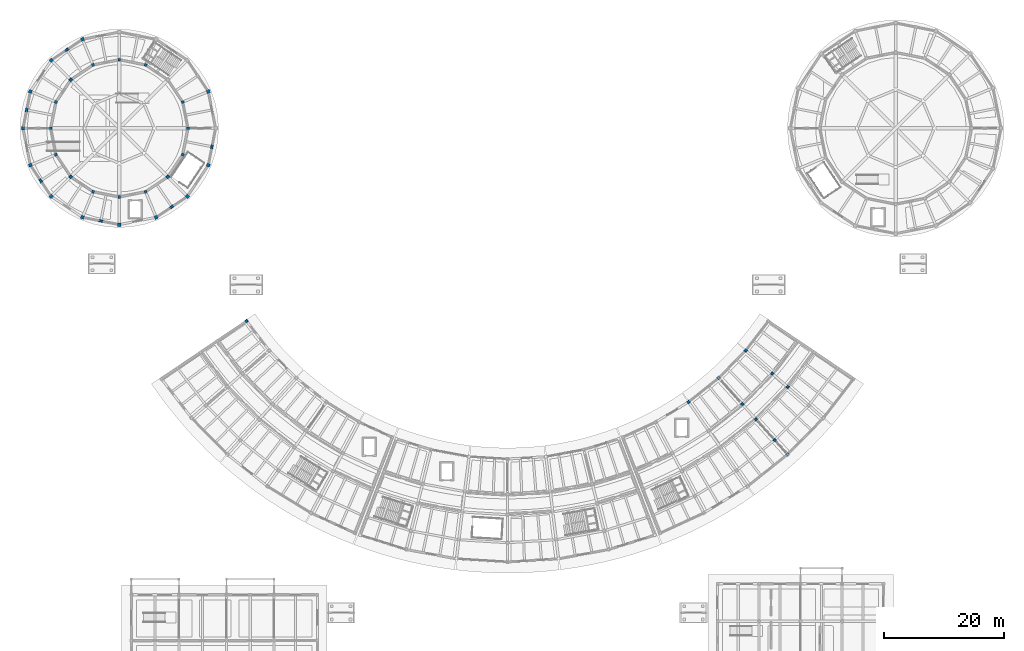
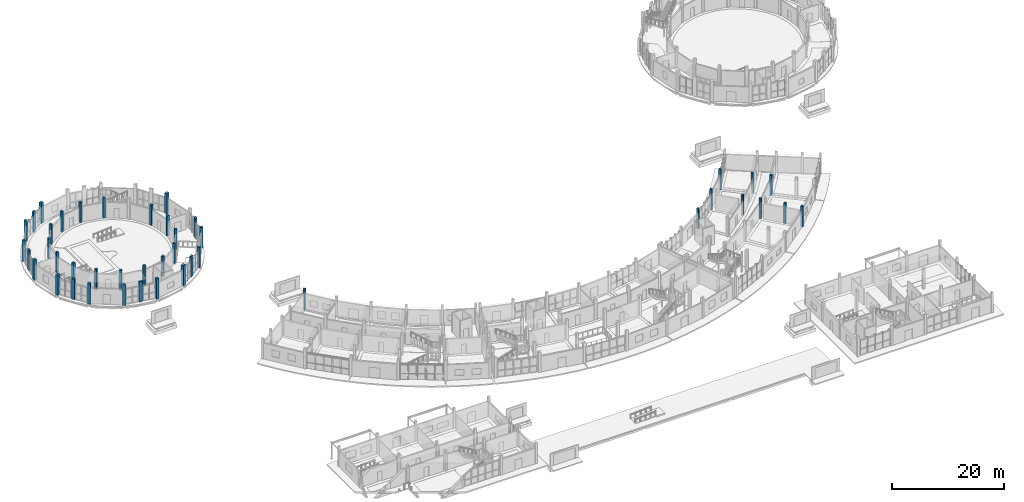
# One storey, part 15 of 92: 43 columns.
"""IFC4 building model written with IfcOpenShell, lengths in metres."""

from ifc_helpers import new_model, si_unit, direction, frame, origin, origin_2d, place, context, subcontext, project, spatial, rectangle, extrude, material, material_profile, profile_set, type_object, element, save


model = new_model("IFC4")

# Units and contexts
model_context = context("Model", 3, precision=1e-05, world=origin(), true_north=direction((0.0, 1.0)))
body_context = subcontext(model_context, "Body", "Model", "MODEL_VIEW")
ifc_project = project(units=[si_unit("LENGTHUNIT", "METRE"), si_unit("AREAUNIT", "SQUARE_METRE"), si_unit("VOLUMEUNIT", "CUBIC_METRE"), si_unit("PLANEANGLEUNIT", "RADIAN"), si_unit("MASSUNIT", "GRAM", prefix="KILO")], contexts=[model_context])

# Site, building, storey
site_placement = place(None, origin())
site = spatial("IfcSite", under=ifc_project, at=site_placement, CompositionType="ELEMENT")
building_placement = place(site_placement, origin())
building = spatial("IfcBuilding", under=site, at=building_placement, Name="Caldaven Crescent School", CompositionType="ELEMENT")
storey_placement = place(building_placement, origin())
storey = spatial("IfcBuildingStorey", under=building, at=storey_placement, Name="L00", CompositionType="ELEMENT", Elevation=0.0)

# Columns
ifc_material_1 = material(Name="Glulam MLE24h (GL28h)", Category="wood")
ifc_material_profile_1 = material_profile(ifc_material_1, rectangle(XDim=0.419921875, YDim=0.419921875, at=origin_2d()), Name="MLE 420x420")
ifc_profile_set_1 = profile_set([ifc_material_profile_1], Name="Glulam MLE24h (GL28h)")
column_type_1 = type_object("IfcColumnType", Name="COL-GL42", PredefinedType="COLUMN", material=ifc_profile_set_1)
for number, where, z_axis, x_axis, name in (
    (1, (44.637451171875, 66.492431640625, 0.0), (0.0, 0.0, 1.0), (-0.826786154745, -0.562516359159, 0.0), "COL-V4W-L00-00-0"),
    (2, (118.083984375, 53.035400390625, 0.0), (0.0, 0.0, 1.0), (0.573576436351, -0.819152044289, 0.0), "COL-V4E-L00-02-0"),
    (3, (123.095947265625, 57.02197265625, 0.0), (0.0, 0.0, 1.0), (0.669130606359, -0.743144825477, 0.0), "COL-V4E-L00-03-0"),
    (4, (127.01025390625, 52.674560546875, 0.0), (0.0, 0.0, 1.0), (0.669130606359, -0.743144825477, 0.0), "COL-V4E-L00-03-1"),
    (5, (129.285400390625, 50.14794921875, 0.0), (0.0, 0.0, 1.0), (0.669130606359, -0.743144825477, 0.0), "COL-V4E-L00-03-2"),
    (6, (132.396728515625, 46.6923828125, 0.0), (0.0, 0.0, 1.0), (0.669130606359, -0.743144825477, 0.0), "COL-V4E-L00-03-3"),
    (7, (134.5380859375, 44.314208984375, 0.0), (0.0, 0.0, 1.0), (0.669130606359, -0.743144825477, 0.0), "COL-V4E-L00-03-4"),
    (8, (127.58447265625, 61.589599609375, 0.0), (0.0, 0.0, 1.0), (0.754709580223, -0.656059028991, 0.0), "COL-V4E-L00-04-0"),
    (9, (131.99951171875, 57.751708984375, 0.0), (0.0, 0.0, 1.0), (0.754709580223, -0.656059028991, 0.0), "COL-V4E-L00-04-1"),
    (10, (134.565673828125, 55.521240234375, 0.0), (0.0, 0.0, 1.0), (0.754709580223, -0.656059028991, 0.0), "COL-V4E-L00-04-2"),
):
    element("IfcColumn", number, at=place(storey_placement, frame(where, z_axis=z_axis, x_axis=x_axis)), inside=storey, type_object=column_type_1, Name=name, PredefinedType="COLUMN", context=body_context, shape_type="SweptSolid", body=[
        extrude(rectangle(XDim=0.419921875, YDim=0.419921875, at=origin_2d()), origin(), (0.0, 0.0, 1.0), 4.419921875),
    ])
ifc_material_profile_2 = material_profile(ifc_material_1, rectangle(XDim=0.449951171875, YDim=0.449951171875, at=origin_2d()), Name="MLE 450x450")
ifc_profile_set_2 = profile_set([ifc_material_profile_2], Name="Glulam MLE24h (GL28h)")
column_type_2 = type_object("IfcColumnType", Name="COL-GL45", PredefinedType="COLUMN", material=ifc_profile_set_2)
for number, where, z_axis, x_axis, name in (
    (11, (34.89990234375, 98.5, 0.0), (0.0, 0.0, 1.0), (1.0, 0.0, 0.0), "COL-V2-L00-GAL-00"),
    (12, (34.0322265625, 102.862548828125, 0.0), (0.0, 0.0, 1.0), (0.923879532511, 0.382683432365, 0.0), "COL-V2-L00-GAL-01"),
    (13, (27.862548828125, 109.0322265625, 0.0), (0.0, 0.0, 1.0), (0.382683432365, 0.923879532511, 0.0), "COL-V2-L00-GAL-03"),
    (14, (23.5, 109.89990234375, 0.0), (0.0, 0.0, 1.0), (0.0, 1.0, 0.0), "COL-V2-L00-GAL-04"),
    (15, (19.137451171875, 109.0322265625, 0.0), (0.0, 0.0, 1.0), (-0.382683432365, 0.923879532511, 0.0), "COL-V2-L00-GAL-05"),
    (16, (15.43896484375, 106.56103515625, 0.0), (0.0, 0.0, 1.0), (-0.707106781187, 0.707106781187, 0.0), "COL-V2-L00-GAL-06"),
    (17, (12.9677734375, 102.862548828125, 0.0), (0.0, 0.0, 1.0), (-0.923879532511, 0.382683432365, 0.0), "COL-V2-L00-GAL-07"),
    (18, (12.10009765625, 98.5, 0.0), (0.0, 0.0, 1.0), (-1.0, 0.0, 0.0), "COL-V2-L00-GAL-08"),
    (19, (12.9677734375, 94.137451171875, 0.0), (0.0, 0.0, 1.0), (-0.923879532511, -0.382683432365, 0.0), "COL-V2-L00-GAL-09"),
    (20, (15.43896484375, 90.43896484375, 0.0), (0.0, 0.0, 1.0), (-0.707106781187, -0.707106781187, 0.0), "COL-V2-L00-GAL-10"),
    (21, (19.137451171875, 87.9677734375, 0.0), (0.0, 0.0, 1.0), (-0.382683432365, -0.923879532511, 0.0), "COL-V2-L00-GAL-11"),
    (22, (23.5, 87.10009765625, 0.0), (0.0, 0.0, 1.0), (0.0, -1.0, 0.0), "COL-V2-L00-GAL-12"),
    (23, (27.862548828125, 87.9677734375, 0.0), (0.0, 0.0, 1.0), (0.382683432365, -0.923879532511, 0.0), "COL-V2-L00-GAL-13"),
    (24, (31.56103515625, 90.43896484375, 0.0), (0.0, 0.0, 1.0), (0.707106781187, -0.707106781187, 0.0), "COL-V2-L00-GAL-14"),
    (25, (34.0322265625, 94.137451171875, 0.0), (0.0, 0.0, 1.0), (0.923879532511, -0.382683432365, 0.0), "COL-V2-L00-GAL-15"),
):
    element("IfcColumn", number, at=place(storey_placement, frame(where, z_axis=z_axis, x_axis=x_axis)), inside=storey, type_object=column_type_2, Name=name, PredefinedType="COLUMN", context=body_context, shape_type="SweptSolid", body=[
        extrude(rectangle(XDim=0.449951171875, YDim=0.449951171875, at=origin_2d()), origin(), (0.0, 0.0, 1.0), 4.419921875),
    ])
ifc_material_2 = material(Name="Concrete C35/45", Category="concrete")
ifc_material_profile_3 = material_profile(ifc_material_2, rectangle(XDim=0.550048828125, YDim=0.550048828125, at=origin_2d()), Name="RC 550x550")
ifc_profile_set_3 = profile_set([ifc_material_profile_3], Name="Concrete C35/45")
column_type_3 = type_object("IfcColumnType", Name="COL-RC55", PredefinedType="COLUMN", material=ifc_profile_set_3)
for number, where, z_axis, x_axis, name in (
    (26, (38.281982421875, 104.623046875, 0.0), (0.0, 0.0, 1.0), (0.923879532511, 0.382683432365, 0.0), "COL-V2-L00-OUT-01"),
    (27, (17.376953125, 113.281982421875, 0.0), (0.0, 0.0, 1.0), (-0.382683432365, 0.923879532511, 0.0), "COL-V2-L00-OUT-05"),
    (28, (12.186279296875, 109.813720703125, 0.0), (0.0, 0.0, 1.0), (-0.707106781187, 0.707106781187, 0.0), "COL-V2-L00-OUT-06"),
    (29, (8.718017578125, 104.623046875, 0.0), (0.0, 0.0, 1.0), (-0.923879532511, 0.382683432365, 0.0), "COL-V2-L00-OUT-07"),
    (30, (7.5, 98.5, 0.0), (0.0, 0.0, 1.0), (-1.0, 0.0, 0.0), "COL-V2-L00-OUT-08"),
    (31, (8.718017578125, 92.376953125, 0.0), (0.0, 0.0, 1.0), (-0.923879532511, -0.382683432365, 0.0), "COL-V2-L00-OUT-09"),
    (32, (12.186279296875, 87.186279296875, 0.0), (0.0, 0.0, 1.0), (-0.707106781187, -0.707106781187, 0.0), "COL-V2-L00-OUT-10"),
    (33, (17.376953125, 83.718017578125, 0.0), (0.0, 0.0, 1.0), (-0.382683432365, -0.923879532511, 0.0), "COL-V2-L00-OUT-11"),
    (34, (23.5, 82.5, 0.0), (0.0, 0.0, 1.0), (0.0, -1.0, 0.0), "COL-V2-L00-OUT-12"),
    (35, (29.623046875, 83.718017578125, 0.0), (0.0, 0.0, 1.0), (0.382683432365, -0.923879532511, 0.0), "COL-V2-L00-OUT-13"),
    (36, (34.813720703125, 87.186279296875, 0.0), (0.0, 0.0, 1.0), (0.707106781187, -0.707106781187, 0.0), "COL-V2-L00-OUT-14"),
    (37, (38.281982421875, 92.376953125, 0.0), (0.0, 0.0, 1.0), (0.923879532511, -0.382683432365, 0.0), "COL-V2-L00-OUT-15"),
):
    element("IfcColumn", number, at=place(storey_placement, frame(where, z_axis=z_axis, x_axis=x_axis)), inside=storey, type_object=column_type_3, Name=name, PredefinedType="COLUMN", context=body_context, shape_type="SweptSolid", body=[
        extrude(rectangle(XDim=0.550048828125, YDim=0.550048828125, at=origin_2d()), origin(), (0.0, 0.0, 1.0), 4.419921875),
    ])
ifc_material_3 = material(Name="Concrete C30/37", Category="concrete")
ifc_material_profile_4 = material_profile(ifc_material_3, rectangle(XDim=0.35009765625, YDim=0.64990234375, at=origin_2d()), Name="RC 350x650")
ifc_profile_set_4 = profile_set([ifc_material_profile_4], Name="Concrete C30/37")
column_type_4 = type_object("IfcColumnType", Name="PIL-RC35", PredefinedType="PILASTER", material=ifc_profile_set_4)
for number, where, z_axis, x_axis, name in (
    (38, (14.78173828125, 111.5478515625, 0.0), (0.0, 0.0, 1.0), (-0.55557023302, 0.831469612303, 0.0), "PIL-V2-L00-02"),
    (39, (8.10888671875, 101.5615234375, 0.0), (0.0, 0.0, 1.0), (-0.980785280403, 0.195090322016, 0.0), "PIL-V2-L00-03"),
    (40, (10.4521484375, 89.78173828125, 0.0), (0.0, 0.0, 1.0), (-0.831469612303, -0.55557023302, 0.0), "PIL-V2-L00-04"),
    (41, (20.4384765625, 83.10888671875, 0.0), (0.0, 0.0, 1.0), (-0.195090322016, -0.980785280403, 0.0), "PIL-V2-L00-05"),
    (42, (32.21826171875, 85.4521484375, 0.0), (0.0, 0.0, 1.0), (0.55557023302, -0.831469612303, 0.0), "PIL-V2-L00-06"),
    (43, (38.89111328125, 95.4384765625, 0.0), (0.0, 0.0, 1.0), (0.980785280403, -0.195090322016, 0.0), "PIL-V2-L00-07"),
):
    element("IfcColumn", number, at=place(storey_placement, frame(where, z_axis=z_axis, x_axis=x_axis)), inside=storey, type_object=column_type_4, Name=name, PredefinedType="PILASTER", context=body_context, shape_type="SweptSolid", body=[
        extrude(rectangle(XDim=0.35009765625, YDim=0.64990234375, at=origin_2d()), origin(), (0.0, 0.0, 1.0), 4.419921875),
    ])

save(model, "model.ifc")
